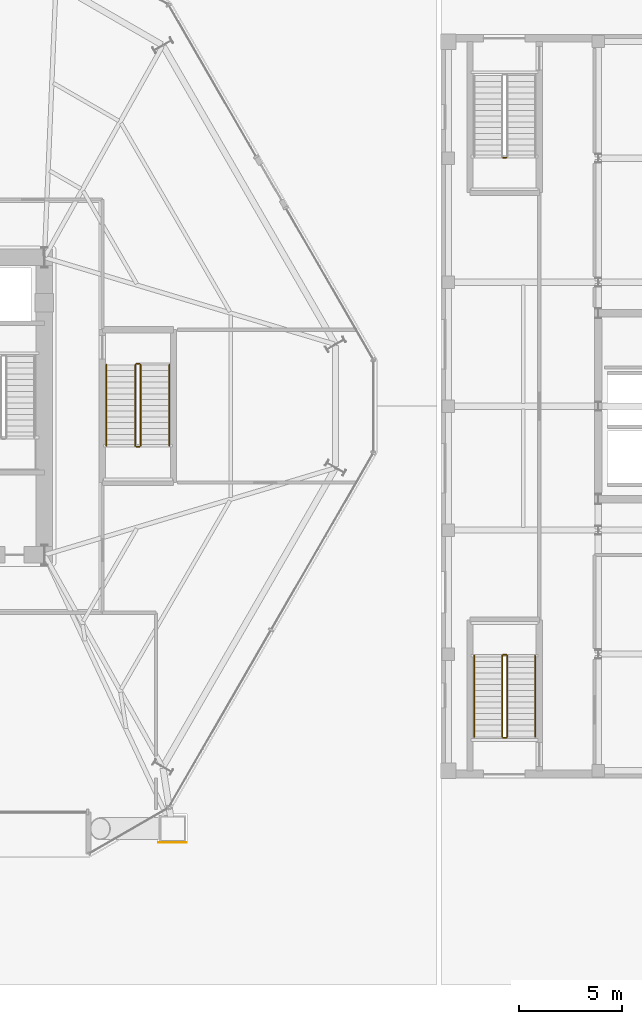
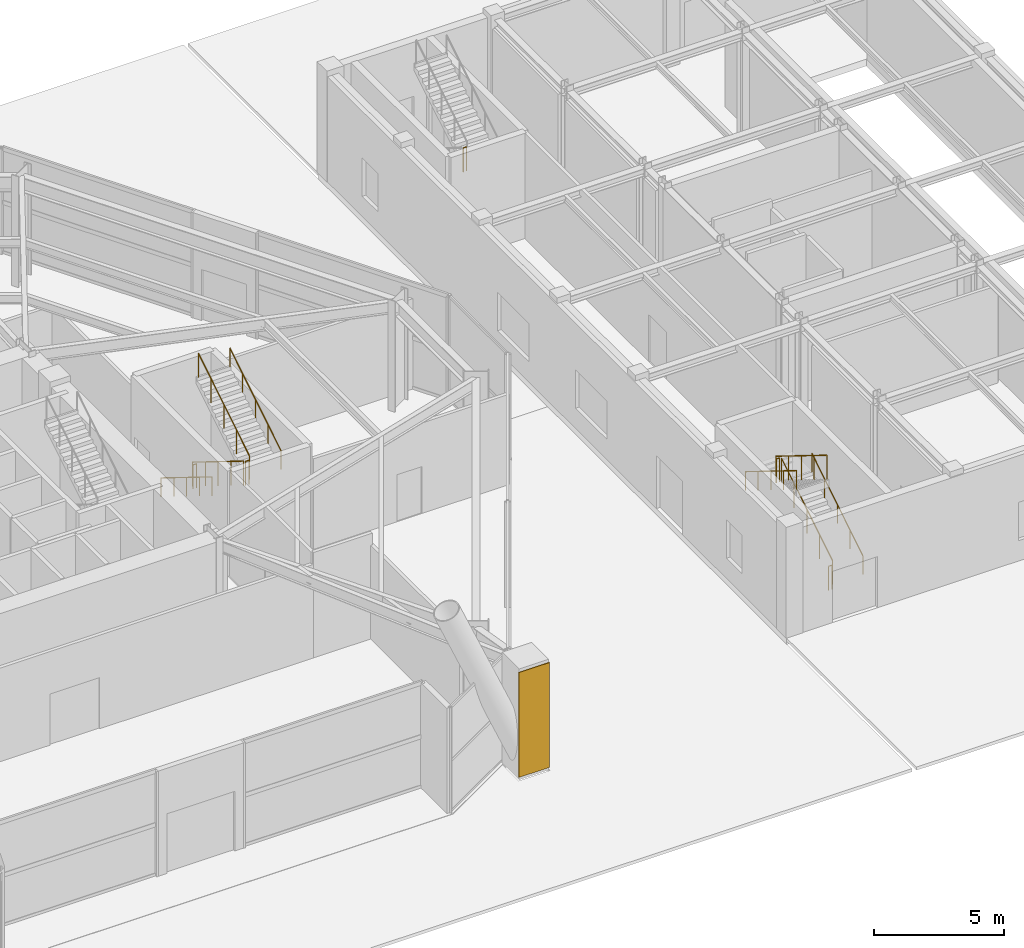
# One storey, part 24 of 26: 13 railings, 1 covering.
"""IFC4 building model written with IfcOpenShell, lengths in metres."""

from ifc_helpers import new_model, si_unit, direction, frame, origin, origin_2d, place, context, subcontext, project, spatial, rectangle, circle, extrude, material, layer, layer_set, type_object, element, save


model = new_model("IFC4")

# Units and contexts
model_context = context("Model", 3, precision=1e-05, world=origin(), true_north=direction((0.0, 1.0)))
body_context = subcontext(model_context, "Body", "Model", "MODEL_VIEW")
ifc_project = project(units=[si_unit("LENGTHUNIT", "METRE"), si_unit("AREAUNIT", "SQUARE_METRE"), si_unit("VOLUMEUNIT", "CUBIC_METRE"), si_unit("PLANEANGLEUNIT", "RADIAN"), si_unit("MASSUNIT", "GRAM", prefix="KILO")], contexts=[model_context])

# Site, building, storey
site_placement = place(None, origin())
site = spatial("IfcSite", under=ifc_project, at=site_placement, CompositionType="ELEMENT")
building_placement = place(site_placement, origin())
building = spatial("IfcBuilding", under=site, at=building_placement, Name="Kranzbogen Civic Tower", CompositionType="ELEMENT")
storey_placement = place(building_placement, origin())
storey = spatial("IfcBuildingStorey", under=building, at=storey_placement, Name="L00", CompositionType="ELEMENT", Elevation=0.0)

# Railings
ifc_material_1 = material(Name="Steel S355", Category="steel")
railing_type_1 = type_object("IfcRailingType", Name="Internal Stair and Void Steel Guardrail 1150", PredefinedType="GUARDRAIL", material=ifc_material_1)
railing_1_placement = place(storey_placement, frame((37.199951171875, 27.0, 0.17333984375)))
element("IfcRailing", 1, at=railing_1_placement, inside=storey, type_object=railing_type_1, Name="L00 ST-P2 stair guard 1", PredefinedType="GUARDRAIL", context=body_context, shape_type="SweptSolid", body=[
    extrude(circle(Radius=0.02392578125, at=origin_2d()), frame((0.0, 0.0, 1.1259765625), z_axis=(0.0, -0.850251603719, 0.526376491091), x_axis=(1.0, 0.0, 0.0)), (0.0, 0.0, 1.0), 4.6103515625),
    extrude(circle(Radius=0.02099609375, at=origin_2d()), origin(), (0.0, 0.0, 1.0), 1.101806640625),
    extrude(circle(Radius=0.02099609375, at=origin_2d()), frame((0.0, -0.97998046875, 0.606689453125)), (0.0, 0.0, 1.0), 1.101806640625),
    extrude(circle(Radius=0.02099609375, at=origin_2d()), frame((0.0, -1.9599609375, 1.21337890625)), (0.0, 0.0, 1.0), 1.101806640625),
    extrude(circle(Radius=0.02099609375, at=origin_2d()), frame((0.0, -2.93994140625, 1.820068359375)), (0.0, 0.0, 1.0), 1.101806640625),
    extrude(circle(Radius=0.02099609375, at=origin_2d()), frame((0.0, -3.919921875, 2.4267578125)), (0.0, 0.0, 1.0), 1.101806640625),
])
railing_2_placement = place(storey_placement, frame((37.25, 23.030029296875, 2.60009765625)))
element("IfcRailing", 2, at=railing_2_placement, inside=storey, type_object=railing_type_1, Name="L00 ST-P2 stair guard 2", PredefinedType="GUARDRAIL", context=body_context, shape_type="SweptSolid", body=[
    extrude(circle(Radius=0.02392578125, at=origin_2d()), frame((0.0, 0.0, 1.1259765625), z_axis=(1.0, 0.0, 0.0), x_axis=(0.0, 1.0, 0.0)), (0.0, 0.0, 1.0), 0.14990234375),
    extrude(circle(Radius=0.02099609375, at=origin_2d()), origin(), (0.0, 0.0, 1.0), 1.101806640625),
    extrude(circle(Radius=0.02099609375, at=origin_2d()), frame((0.14990234375, 0.0, 0.0)), (0.0, 0.0, 1.0), 1.101806640625),
])
railing_3_placement = place(storey_placement, frame((37.449951171875, 23.080078125, 2.7734375)))
element("IfcRailing", 3, at=railing_3_placement, inside=storey, type_object=railing_type_1, Name="L00 ST-P2 stair guard 3", PredefinedType="GUARDRAIL", context=body_context, shape_type="SweptSolid", body=[
    extrude(circle(Radius=0.02392578125, at=origin_2d()), frame((0.0, 0.0, 1.1259765625), z_axis=(0.0, 0.850275303828, 0.526338206574), x_axis=(-1.0, 0.0, 0.0)), (0.0, 0.0, 1.0), 4.610107421875),
    extrude(circle(Radius=0.02099609375, at=origin_2d()), origin(), (0.0, 0.0, 1.0), 1.101806640625),
    extrude(circle(Radius=0.02099609375, at=origin_2d()), frame((0.0, 0.97998046875, 0.606689453125)), (0.0, 0.0, 1.0), 1.101806640625),
    extrude(circle(Radius=0.02099609375, at=origin_2d()), frame((0.0, 1.9599609375, 1.21337890625)), (0.0, 0.0, 1.0), 1.101806640625),
    extrude(circle(Radius=0.02099609375, at=origin_2d()), frame((0.0, 2.93994140625, 1.81982421875)), (0.0, 0.0, 1.0), 1.101806640625),
    extrude(circle(Radius=0.02099609375, at=origin_2d()), frame((0.0, 3.919921875, 2.426513671875)), (0.0, 0.0, 1.0), 1.101806640625),
])
railing_4_placement = place(storey_placement, frame((37.25, 27.050048828125, 0.0)))
element("IfcRailing", 4, at=railing_4_placement, inside=storey, type_object=railing_type_1, Name="L00 ST-P2 stair guard 4", PredefinedType="GUARDRAIL", context=body_context, shape_type="SweptSolid", body=[
    extrude(circle(Radius=0.02392578125, at=origin_2d()), frame((0.0, 0.0, 1.1259765625), z_axis=(1.0, 0.0, 0.0), x_axis=(0.0, 1.0, 0.0)), (0.0, 0.0, 1.0), 0.14990234375),
    extrude(circle(Radius=0.02099609375, at=origin_2d()), origin(), (0.0, 0.0, 1.0), 1.101806640625),
    extrude(circle(Radius=0.02099609375, at=origin_2d()), frame((0.14990234375, 0.0, 0.0)), (0.0, 0.0, 1.0), 1.101806640625),
])
railing_5_placement = place(storey_placement, frame((55.199951171875, 9.0, 0.17333984375)))
element("IfcRailing", 5, at=railing_5_placement, inside=storey, type_object=railing_type_1, Name="L00 ST-H1 stair guard 1", PredefinedType="GUARDRAIL", context=body_context, shape_type="SweptSolid", body=[
    extrude(circle(Radius=0.02392578125, at=origin_2d()), frame((0.0, 0.0, 1.1259765625), z_axis=(0.0, 0.850251603719, 0.526376491091), x_axis=(-1.0, 0.0, 0.0)), (0.0, 0.0, 1.0), 4.6103515625),
    extrude(circle(Radius=0.02099609375, at=origin_2d()), origin(), (0.0, 0.0, 1.0), 1.101806640625),
    extrude(circle(Radius=0.02099609375, at=origin_2d()), frame((0.0, 0.97998046875, 0.606689453125)), (0.0, 0.0, 1.0), 1.101806640625),
    extrude(circle(Radius=0.02099609375, at=origin_2d()), frame((0.0, 1.9599609375, 1.21337890625)), (0.0, 0.0, 1.0), 1.101806640625),
    extrude(circle(Radius=0.02099609375, at=origin_2d()), frame((0.0, 2.93994140625, 1.820068359375)), (0.0, 0.0, 1.0), 1.101806640625),
    extrude(circle(Radius=0.02099609375, at=origin_2d()), frame((0.0, 3.919921875, 2.4267578125)), (0.0, 0.0, 1.0), 1.101806640625),
])
railing_6_placement = place(storey_placement, frame((55.14990234375, 12.969970703125, 2.60009765625)))
element("IfcRailing", 6, at=railing_6_placement, inside=storey, type_object=railing_type_1, Name="L00 ST-H1 stair guard 2", PredefinedType="GUARDRAIL", context=body_context, shape_type="SweptSolid", body=[
    extrude(circle(Radius=0.02392578125, at=origin_2d()), frame((0.0, 0.0, 1.1259765625), z_axis=(-1.0, 0.0, 0.0), x_axis=(0.0, -1.0, 0.0)), (0.0, 0.0, 1.0), 0.14990234375),
    extrude(circle(Radius=0.02099609375, at=origin_2d()), origin(), (0.0, 0.0, 1.0), 1.101806640625),
    extrude(circle(Radius=0.02099609375, at=origin_2d()), frame((-0.14990234375, 0.0, 0.0)), (0.0, 0.0, 1.0), 1.101806640625),
])
railing_7_placement = place(storey_placement, frame((54.949951171875, 12.919921875, 2.7734375)))
element("IfcRailing", 7, at=railing_7_placement, inside=storey, type_object=railing_type_1, Name="L00 ST-H1 stair guard 3", PredefinedType="GUARDRAIL", context=body_context, shape_type="SweptSolid", body=[
    extrude(circle(Radius=0.02392578125, at=origin_2d()), frame((0.0, 0.0, 1.1259765625), z_axis=(0.0, -0.850275303828, 0.526338206574), x_axis=(1.0, 0.0, 0.0)), (0.0, 0.0, 1.0), 4.610107421875),
    extrude(circle(Radius=0.02099609375, at=origin_2d()), origin(), (0.0, 0.0, 1.0), 1.101806640625),
    extrude(circle(Radius=0.02099609375, at=origin_2d()), frame((0.0, -0.97998046875, 0.606689453125)), (0.0, 0.0, 1.0), 1.101806640625),
    extrude(circle(Radius=0.02099609375, at=origin_2d()), frame((0.0, -1.9599609375, 1.21337890625)), (0.0, 0.0, 1.0), 1.101806640625),
    extrude(circle(Radius=0.02099609375, at=origin_2d()), frame((0.0, -2.93994140625, 1.81982421875)), (0.0, 0.0, 1.0), 1.101806640625),
    extrude(circle(Radius=0.02099609375, at=origin_2d()), frame((0.0, -3.919921875, 2.426513671875)), (0.0, 0.0, 1.0), 1.101806640625),
])
railing_8_placement = place(storey_placement, frame((55.14990234375, 8.949951171875, 0.0)))
element("IfcRailing", 8, at=railing_8_placement, inside=storey, type_object=railing_type_1, Name="L00 ST-H1 stair guard 4", PredefinedType="GUARDRAIL", context=body_context, shape_type="SweptSolid", body=[
    extrude(circle(Radius=0.02392578125, at=origin_2d()), frame((0.0, 0.0, 1.1259765625), z_axis=(-1.0, 0.0, 0.0), x_axis=(0.0, -1.0, 0.0)), (0.0, 0.0, 1.0), 0.14990234375),
    extrude(circle(Radius=0.02099609375, at=origin_2d()), origin(), (0.0, 0.0, 1.0), 1.101806640625),
    extrude(circle(Radius=0.02099609375, at=origin_2d()), frame((-0.14990234375, 0.0, 0.0)), (0.0, 0.0, 1.0), 1.101806640625),
])
railing_9_placement = place(storey_placement, frame((55.0, 37.030029296875, 2.60009765625)))
element("IfcRailing", 9, at=railing_9_placement, inside=storey, type_object=railing_type_1, Name="L00 ST-H2 stair guard 2", PredefinedType="GUARDRAIL", context=body_context, shape_type="SweptSolid", body=[
    extrude(circle(Radius=0.02392578125, at=origin_2d()), frame((0.0, 0.0, 1.1259765625), z_axis=(1.0, 0.0, 0.0), x_axis=(0.0, 1.0, 0.0)), (0.0, 0.0, 1.0), 0.14990234375),
    extrude(circle(Radius=0.02099609375, at=origin_2d()), origin(), (0.0, 0.0, 1.0), 1.101806640625),
    extrude(circle(Radius=0.02099609375, at=origin_2d()), frame((0.14990234375, 0.0, 0.0)), (0.0, 0.0, 1.0), 1.101806640625),
])

# Covering
ifc_material_2 = material(Name="Anodised Bronze Aluminium", Category="aluminium")
ifc_layer = layer(ifc_material_2, 0.034912109375, Name="Anodised Bronze Aluminium")
ifc_layer_set = layer_set([ifc_layer], Name="Anodised Bronze Aluminium")
covering_type = type_object("IfcCoveringType", Name="Portal Arch Pier Anodised Metal Cladding 35 mm", PredefinedType="CLADDING", material=ifc_layer_set)
covering_placement = place(storey_placement, frame((39.0, 3.882080078125, 0.14013671875), z_axis=(0.0, 0.0, 1.0), x_axis=(1.0, 0.0, 0.0)))
element("IfcCovering", 10, at=covering_placement, inside=storey, type_object=covering_type, Name="L00 portal arch pier 2 cladding", PredefinedType="CLADDING", context=body_context, shape_type="SweptSolid", body=[
    extrude(rectangle(XDim=1.3701171875, YDim=0.034912109375, at=origin_2d()), origin(), (0.0, 0.0, 1.0), 4.919921875),
])

# Railings
ifc_material_3 = material(Name="Pale Anodised Aluminium", Category="aluminium")
railing_type_2 = type_object("IfcRailingType", Name="Tubular Stainless Stair Wall Handrail 900", PredefinedType="HANDRAIL", material=ifc_material_3)
railing_10_placement = place(storey_placement, frame((35.800048828125, 27.0, 0.17333984375)))
element("IfcRailing", 11, at=railing_10_placement, inside=storey, type_object=railing_type_2, Name="L00 ST-P2 stair handrail 1", PredefinedType="HANDRAIL", context=body_context, shape_type="SweptSolid", body=[
    extrude(circle(Radius=0.02392578125, at=origin_2d()), frame((0.0, 0.0, 0.8759765625), z_axis=(0.0, -0.850251603719, 0.526376491091), x_axis=(1.0, 0.0, 0.0)), (0.0, 0.0, 1.0), 4.6103515625),
    extrude(circle(Radius=0.02099609375, at=origin_2d()), origin(), (0.0, 0.0, 1.0), 0.851806640625),
    extrude(circle(Radius=0.02099609375, at=origin_2d()), frame((0.0, -0.97998046875, 0.606689453125)), (0.0, 0.0, 1.0), 0.851806640625),
    extrude(circle(Radius=0.02099609375, at=origin_2d()), frame((0.0, -1.9599609375, 1.21337890625)), (0.0, 0.0, 1.0), 0.851806640625),
    extrude(circle(Radius=0.02099609375, at=origin_2d()), frame((0.0, -2.93994140625, 1.820068359375)), (0.0, 0.0, 1.0), 0.851806640625),
    extrude(circle(Radius=0.02099609375, at=origin_2d()), frame((0.0, -3.919921875, 2.4267578125)), (0.0, 0.0, 1.0), 0.851806640625),
])
railing_11_placement = place(storey_placement, frame((38.85009765625, 23.080078125, 2.7734375)))
element("IfcRailing", 12, at=railing_11_placement, inside=storey, type_object=railing_type_2, Name="L00 ST-P2 stair handrail 2", PredefinedType="HANDRAIL", context=body_context, shape_type="SweptSolid", body=[
    extrude(circle(Radius=0.02392578125, at=origin_2d()), frame((0.0, 0.0, 0.8759765625), z_axis=(0.0, 0.850275303828, 0.526338206574), x_axis=(-1.0, 0.0, 0.0)), (0.0, 0.0, 1.0), 4.610107421875),
    extrude(circle(Radius=0.02099609375, at=origin_2d()), origin(), (0.0, 0.0, 1.0), 0.851806640625),
    extrude(circle(Radius=0.02099609375, at=origin_2d()), frame((0.0, 0.97998046875, 0.606689453125)), (0.0, 0.0, 1.0), 0.851806640625),
    extrude(circle(Radius=0.02099609375, at=origin_2d()), frame((0.0, 1.9599609375, 1.21337890625)), (0.0, 0.0, 1.0), 0.851806640625),
    extrude(circle(Radius=0.02099609375, at=origin_2d()), frame((0.0, 2.93994140625, 1.81982421875)), (0.0, 0.0, 1.0), 0.851806640625),
    extrude(circle(Radius=0.02099609375, at=origin_2d()), frame((0.0, 3.919921875, 2.426513671875)), (0.0, 0.0, 1.0), 0.851806640625),
])
railing_12_placement = place(storey_placement, frame((56.550048828125, 9.0, 0.17333984375)))
element("IfcRailing", 13, at=railing_12_placement, inside=storey, type_object=railing_type_2, Name="L00 ST-H1 stair handrail 1", PredefinedType="HANDRAIL", context=body_context, shape_type="SweptSolid", body=[
    extrude(circle(Radius=0.02392578125, at=origin_2d()), frame((0.0, 0.0, 0.8759765625), z_axis=(0.0, 0.850251603719, 0.526376491091), x_axis=(-1.0, 0.0, 0.0)), (0.0, 0.0, 1.0), 4.6103515625),
    extrude(circle(Radius=0.02099609375, at=origin_2d()), origin(), (0.0, 0.0, 1.0), 0.851806640625),
    extrude(circle(Radius=0.02099609375, at=origin_2d()), frame((0.0, 0.97998046875, 0.606689453125)), (0.0, 0.0, 1.0), 0.851806640625),
    extrude(circle(Radius=0.02099609375, at=origin_2d()), frame((0.0, 1.9599609375, 1.21337890625)), (0.0, 0.0, 1.0), 0.851806640625),
    extrude(circle(Radius=0.02099609375, at=origin_2d()), frame((0.0, 2.93994140625, 1.820068359375)), (0.0, 0.0, 1.0), 0.851806640625),
    extrude(circle(Radius=0.02099609375, at=origin_2d()), frame((0.0, 3.919921875, 2.4267578125)), (0.0, 0.0, 1.0), 0.851806640625),
])
railing_13_placement = place(storey_placement, frame((53.60009765625, 12.919921875, 2.7734375)))
element("IfcRailing", 14, at=railing_13_placement, inside=storey, type_object=railing_type_2, Name="L00 ST-H1 stair handrail 2", PredefinedType="HANDRAIL", context=body_context, shape_type="SweptSolid", body=[
    extrude(circle(Radius=0.02392578125, at=origin_2d()), frame((0.0, 0.0, 0.8759765625), z_axis=(0.0, -0.850275303828, 0.526338206574), x_axis=(1.0, 0.0, 0.0)), (0.0, 0.0, 1.0), 4.610107421875),
    extrude(circle(Radius=0.02099609375, at=origin_2d()), origin(), (0.0, 0.0, 1.0), 0.851806640625),
    extrude(circle(Radius=0.02099609375, at=origin_2d()), frame((0.0, -0.97998046875, 0.606689453125)), (0.0, 0.0, 1.0), 0.851806640625),
    extrude(circle(Radius=0.02099609375, at=origin_2d()), frame((0.0, -1.9599609375, 1.21337890625)), (0.0, 0.0, 1.0), 0.851806640625),
    extrude(circle(Radius=0.02099609375, at=origin_2d()), frame((0.0, -2.93994140625, 1.81982421875)), (0.0, 0.0, 1.0), 0.851806640625),
    extrude(circle(Radius=0.02099609375, at=origin_2d()), frame((0.0, -3.919921875, 2.426513671875)), (0.0, 0.0, 1.0), 0.851806640625),
])

save(model, "model.ifc")
